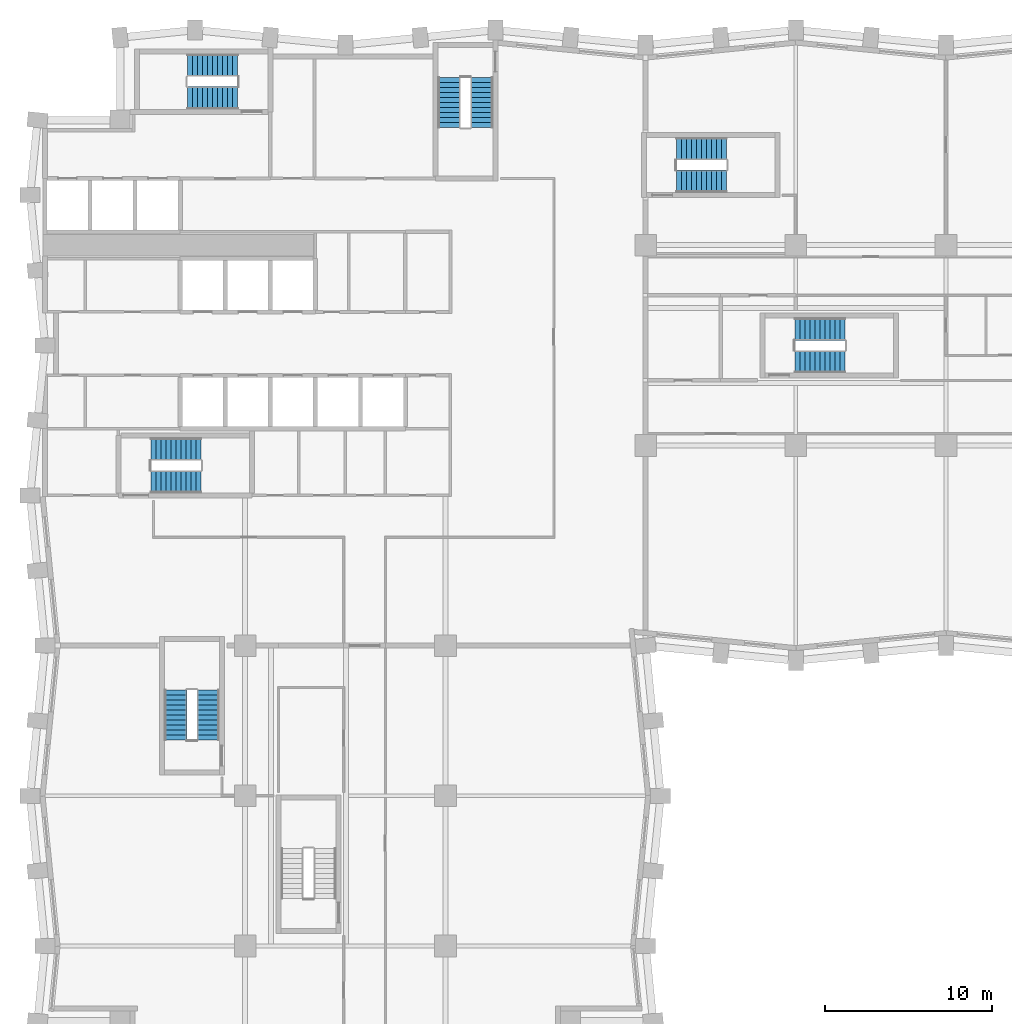
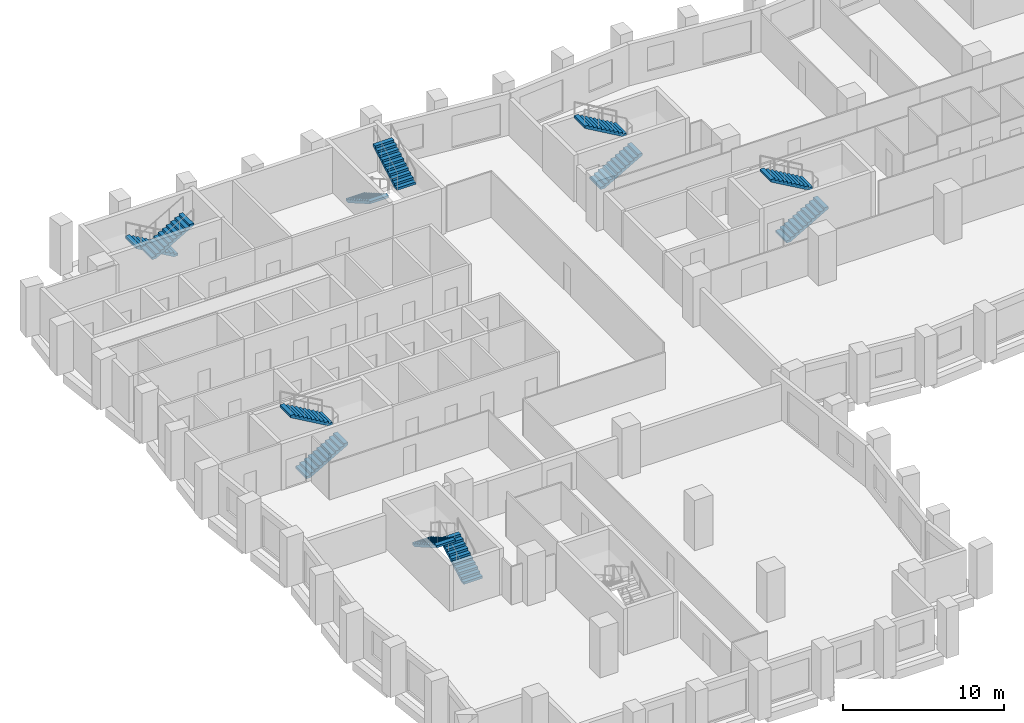
# One storey, part 9 of 11: 12 stair flights, 6 elements without a shape of their own.
"""IFC4 building model written with IfcOpenShell, lengths in metres."""

from ifc_helpers import new_model, si_unit, direction, frame, origin, place, context, subcontext, project, spatial, polyline, outline, extrude, material, type_object, element, aggregate, save


model = new_model("IFC4")

# Units and contexts
model_context = context("Model", 3, precision=1e-05, world=origin(), true_north=direction((0.0, 1.0)))
body_context = subcontext(model_context, "Body", "Model", "MODEL_VIEW")
ifc_project = project(units=[si_unit("LENGTHUNIT", "METRE"), si_unit("AREAUNIT", "SQUARE_METRE"), si_unit("VOLUMEUNIT", "CUBIC_METRE"), si_unit("PLANEANGLEUNIT", "RADIAN"), si_unit("MASSUNIT", "GRAM", prefix="KILO")], contexts=[model_context])

# Site, building, storey
site_placement = place(None, origin())
site = spatial("IfcSite", under=ifc_project, at=site_placement, CompositionType="ELEMENT")
building_placement = place(site_placement, origin())
building = spatial("IfcBuilding", under=site, at=building_placement, Name="Brondeck Convention Tower", CompositionType="ELEMENT")
storey_placement = place(building_placement, frame((0.0, 0.0, 115.10009765625)))
storey = spatial("IfcBuildingStorey", under=building, at=storey_placement, Name="L27", CompositionType="ELEMENT", Elevation=115.10009765625)

# Stair, stair flights
ifc_material = material(Name="Precast concrete C50/60", Category="concrete")
stair_type = type_object("IfcStairType", Name="Core stair 22 risers 172.73 mm riser 300 mm going 1350 wide", PredefinedType="HALF_TURN_STAIR", material=ifc_material)
stair_1_placement = place(storey_placement, origin())
stair_1 = element("IfcStair", 1, at=stair_1_placement, inside=storey, type_object=stair_type, Name="ST-1 L27 stair", PredefinedType="HALF_TURN_STAIR")
stair_flight_type = type_object("IfcStairFlightType", Name="Core stair flight 22 risers 172.73 mm riser 300 mm going 1350 wide", PredefinedType="STRAIGHT", material=ifc_material)
stair_flight_1_placement = place(storey_placement, frame((6.35009765625, 36.824951171875, 0.0), z_axis=(0.0, 0.0, 1.0), x_axis=(1.0, 0.0, 0.0)))
stair_flight_1 = element("IfcStairFlight", 2, at=stair_flight_1_placement, type_object=stair_flight_type, Name="ST-1 flight 1", NumberOfRisers=11, NumberOfTreads=10, PredefinedType="STRAIGHT", RiserHeight=0.172727273, TreadLength=0.3, context=body_context, shape_type="SweptSolid", body=[
    extrude(outline(polyline([(0.0, 0.0), (0.0, 0.172607421875), (0.300048828125, 0.172607421875), (0.300048828125, 0.345458984375), (0.60009765625, 0.345458984375), (0.60009765625, 0.51806640625), (0.89990234375, 0.51806640625), (0.89990234375, 0.69091796875), (1.199951171875, 0.69091796875), (1.199951171875, 0.863525390625), (1.5, 0.863525390625), (1.5, 1.036376953125), (1.800048828125, 1.036376953125), (1.800048828125, 1.208984375), (2.10009765625, 1.208984375), (2.10009765625, 1.3818359375), (2.39990234375, 1.3818359375), (2.39990234375, 1.554443359375), (2.699951171875, 1.554443359375), (2.699951171875, 1.727294921875), (3.0, 1.727294921875), (3.0, 1.89990234375), (3.0, 1.55419921875), (0.300537109375, 0.0), (0.0, 0.0)])), frame((0.0, 0.675048828125, 0.0), z_axis=(0.0, -1.0, 0.0), x_axis=(1.0, 0.0, 0.0)), (0.0, 0.0, 1.0), 1.35009765625),
])
stair_flight_2_placement = place(storey_placement, frame((9.35009765625, 38.77490234375, 1.89990234375), z_axis=(0.0, 0.0, 1.0), x_axis=(-1.0, 0.0, 0.0)))
stair_flight_2 = element("IfcStairFlight", 3, at=stair_flight_2_placement, type_object=stair_flight_type, Name="ST-1 flight 2", NumberOfRisers=11, NumberOfTreads=10, PredefinedType="STRAIGHT", RiserHeight=0.172727273, TreadLength=0.3, context=body_context, shape_type="SweptSolid", body=[
    extrude(outline(polyline([(0.0, 0.0), (0.0, 0.172607421875), (0.300048828125, 0.172607421875), (0.300048828125, 0.345458984375), (0.60009765625, 0.345458984375), (0.60009765625, 0.51806640625), (0.89990234375, 0.51806640625), (0.89990234375, 0.69091796875), (1.199951171875, 0.69091796875), (1.199951171875, 0.863525390625), (1.5, 0.863525390625), (1.5, 1.036376953125), (1.800048828125, 1.036376953125), (1.800048828125, 1.208984375), (2.10009765625, 1.208984375), (2.10009765625, 1.3818359375), (2.39990234375, 1.3818359375), (2.39990234375, 1.554443359375), (2.699951171875, 1.554443359375), (2.699951171875, 1.727294921875), (3.0, 1.727294921875), (3.0, 1.89990234375), (3.0, 1.55419921875), (0.300537109375, 0.0), (0.0, 0.0)])), frame((0.0, 0.675048828125, 0.0), z_axis=(0.0, -1.0, 0.0), x_axis=(1.0, 0.0, 0.0)), (0.0, 0.0, 1.0), 1.35009765625),
])
aggregate(stair_1, [stair_flight_1, stair_flight_2])

stair_2_placement = place(storey_placement, origin())
stair_2 = element("IfcStair", 4, at=stair_2_placement, inside=storey, type_object=stair_type, Name="ST-2 L27 stair", PredefinedType="HALF_TURN_STAIR")
stair_flight_3_placement = place(storey_placement, frame((24.22509765625, 61.050048828125, 0.0), z_axis=(0.0, 0.0, 1.0), x_axis=(0.0, -1.0, 0.0)))
stair_flight_3 = element("IfcStairFlight", 5, at=stair_flight_3_placement, type_object=stair_flight_type, Name="ST-2 flight 1", NumberOfRisers=11, NumberOfTreads=10, PredefinedType="STRAIGHT", RiserHeight=0.172727273, TreadLength=0.3, context=body_context, shape_type="SweptSolid", body=[
    extrude(outline(polyline([(0.0, 0.0), (0.0, 0.172607421875), (0.300048828125, 0.172607421875), (0.300048828125, 0.345458984375), (0.60009765625, 0.345458984375), (0.60009765625, 0.51806640625), (0.89990234375, 0.51806640625), (0.89990234375, 0.69091796875), (1.199951171875, 0.69091796875), (1.199951171875, 0.863525390625), (1.5, 0.863525390625), (1.5, 1.036376953125), (1.800048828125, 1.036376953125), (1.800048828125, 1.208984375), (2.10009765625, 1.208984375), (2.10009765625, 1.3818359375), (2.39990234375, 1.3818359375), (2.39990234375, 1.554443359375), (2.699951171875, 1.554443359375), (2.699951171875, 1.727294921875), (3.0, 1.727294921875), (3.0, 1.89990234375), (3.0, 1.55419921875), (0.300537109375, 0.0), (0.0, 0.0)])), frame((0.0, 0.675048828125, 0.0), z_axis=(0.0, -1.0, 0.0), x_axis=(1.0, 0.0, 0.0)), (0.0, 0.0, 1.0), 1.35009765625),
])
stair_flight_4_placement = place(storey_placement, frame((26.175048828125, 58.050048828125, 1.89990234375), z_axis=(0.0, 0.0, 1.0), x_axis=(0.0, 1.0, 0.0)))
stair_flight_4 = element("IfcStairFlight", 6, at=stair_flight_4_placement, type_object=stair_flight_type, Name="ST-2 flight 2", NumberOfRisers=11, NumberOfTreads=10, PredefinedType="STRAIGHT", RiserHeight=0.172727273, TreadLength=0.3, context=body_context, shape_type="SweptSolid", body=[
    extrude(outline(polyline([(0.0, 0.0), (0.0, 0.172607421875), (0.300048828125, 0.172607421875), (0.300048828125, 0.345458984375), (0.60009765625, 0.345458984375), (0.60009765625, 0.51806640625), (0.89990234375, 0.51806640625), (0.89990234375, 0.69091796875), (1.199951171875, 0.69091796875), (1.199951171875, 0.863525390625), (1.5, 0.863525390625), (1.5, 1.036376953125), (1.800048828125, 1.036376953125), (1.800048828125, 1.208984375), (2.10009765625, 1.208984375), (2.10009765625, 1.3818359375), (2.39990234375, 1.3818359375), (2.39990234375, 1.554443359375), (2.699951171875, 1.554443359375), (2.699951171875, 1.727294921875), (3.0, 1.727294921875), (3.0, 1.89990234375), (3.0, 1.55419921875), (0.300537109375, 0.0), (0.0, 0.0)])), frame((0.0, 0.675048828125, 0.0), z_axis=(0.0, -1.0, 0.0), x_axis=(1.0, 0.0, 0.0)), (0.0, 0.0, 1.0), 1.35009765625),
])
aggregate(stair_2, [stair_flight_3, stair_flight_4])

stair_3_placement = place(storey_placement, origin())
stair_3 = element("IfcStair", 7, at=stair_3_placement, inside=storey, type_object=stair_type, Name="ST-3 L27 stair", PredefinedType="HALF_TURN_STAIR")
stair_flight_5_placement = place(storey_placement, frame((11.550048828125, 61.77490234375, 0.0), z_axis=(0.0, 0.0, 1.0), x_axis=(-1.0, 0.0, 0.0)))
stair_flight_5 = element("IfcStairFlight", 8, at=stair_flight_5_placement, type_object=stair_flight_type, Name="ST-3 flight 1", NumberOfRisers=11, NumberOfTreads=10, PredefinedType="STRAIGHT", RiserHeight=0.172727273, TreadLength=0.3, context=body_context, shape_type="SweptSolid", body=[
    extrude(outline(polyline([(0.0, 0.0), (0.0, 0.172607421875), (0.300048828125, 0.172607421875), (0.300048828125, 0.345458984375), (0.60009765625, 0.345458984375), (0.60009765625, 0.51806640625), (0.89990234375, 0.51806640625), (0.89990234375, 0.69091796875), (1.199951171875, 0.69091796875), (1.199951171875, 0.863525390625), (1.5, 0.863525390625), (1.5, 1.036376953125), (1.800048828125, 1.036376953125), (1.800048828125, 1.208984375), (2.10009765625, 1.208984375), (2.10009765625, 1.3818359375), (2.39990234375, 1.3818359375), (2.39990234375, 1.554443359375), (2.699951171875, 1.554443359375), (2.699951171875, 1.727294921875), (3.0, 1.727294921875), (3.0, 1.89990234375), (3.0, 1.55419921875), (0.300537109375, 0.0), (0.0, 0.0)])), frame((0.0, 0.675048828125, 0.0), z_axis=(0.0, -1.0, 0.0), x_axis=(1.0, 0.0, 0.0)), (0.0, 0.0, 1.0), 1.35009765625),
])
stair_flight_6_placement = place(storey_placement, frame((8.550048828125, 59.824951171875, 1.89990234375), z_axis=(0.0, 0.0, 1.0), x_axis=(1.0, 0.0, 0.0)))
stair_flight_6 = element("IfcStairFlight", 9, at=stair_flight_6_placement, type_object=stair_flight_type, Name="ST-3 flight 2", NumberOfRisers=11, NumberOfTreads=10, PredefinedType="STRAIGHT", RiserHeight=0.172727273, TreadLength=0.3, context=body_context, shape_type="SweptSolid", body=[
    extrude(outline(polyline([(0.0, 0.0), (0.0, 0.172607421875), (0.300048828125, 0.172607421875), (0.300048828125, 0.345458984375), (0.60009765625, 0.345458984375), (0.60009765625, 0.51806640625), (0.89990234375, 0.51806640625), (0.89990234375, 0.69091796875), (1.199951171875, 0.69091796875), (1.199951171875, 0.863525390625), (1.5, 0.863525390625), (1.5, 1.036376953125), (1.800048828125, 1.036376953125), (1.800048828125, 1.208984375), (2.10009765625, 1.208984375), (2.10009765625, 1.3818359375), (2.39990234375, 1.3818359375), (2.39990234375, 1.554443359375), (2.699951171875, 1.554443359375), (2.699951171875, 1.727294921875), (3.0, 1.727294921875), (3.0, 1.89990234375), (3.0, 1.55419921875), (0.300537109375, 0.0), (0.0, 0.0)])), frame((0.0, 0.675048828125, 0.0), z_axis=(0.0, -1.0, 0.0), x_axis=(1.0, 0.0, 0.0)), (0.0, 0.0, 1.0), 1.35009765625),
])
aggregate(stair_3, [stair_flight_5, stair_flight_6])

stair_4_placement = place(storey_placement, origin())
stair_4 = element("IfcStair", 10, at=stair_4_placement, inside=storey, type_object=stair_type, Name="ST-AE L27 stair", PredefinedType="HALF_TURN_STAIR")
stair_flight_7_placement = place(storey_placement, frame((37.85009765625, 54.824951171875, 0.0), z_axis=(0.0, 0.0, 1.0), x_axis=(1.0, 0.0, 0.0)))
stair_flight_7 = element("IfcStairFlight", 11, at=stair_flight_7_placement, type_object=stair_flight_type, Name="ST-AE flight 1", NumberOfRisers=11, NumberOfTreads=10, PredefinedType="STRAIGHT", RiserHeight=0.172727273, TreadLength=0.3, context=body_context, shape_type="SweptSolid", body=[
    extrude(outline(polyline([(0.0, 0.0), (0.0, 0.172607421875), (0.300048828125, 0.172607421875), (0.300048828125, 0.345458984375), (0.60009765625, 0.345458984375), (0.60009765625, 0.51806640625), (0.89990234375, 0.51806640625), (0.89990234375, 0.69091796875), (1.199951171875, 0.69091796875), (1.199951171875, 0.863525390625), (1.5, 0.863525390625), (1.5, 1.036376953125), (1.800048828125, 1.036376953125), (1.800048828125, 1.208984375), (2.10009765625, 1.208984375), (2.10009765625, 1.3818359375), (2.39990234375, 1.3818359375), (2.39990234375, 1.554443359375), (2.699951171875, 1.554443359375), (2.699951171875, 1.727294921875), (3.0, 1.727294921875), (3.0, 1.89990234375), (3.0, 1.55419921875), (0.300537109375, 0.0), (0.0, 0.0)])), frame((0.0, 0.675048828125, 0.0), z_axis=(0.0, -1.0, 0.0), x_axis=(1.0, 0.0, 0.0)), (0.0, 0.0, 1.0), 1.35009765625),
])
stair_flight_8_placement = place(storey_placement, frame((40.85009765625, 56.77490234375, 1.89990234375), z_axis=(0.0, 0.0, 1.0), x_axis=(-1.0, 0.0, 0.0)))
stair_flight_8 = element("IfcStairFlight", 12, at=stair_flight_8_placement, type_object=stair_flight_type, Name="ST-AE flight 2", NumberOfRisers=11, NumberOfTreads=10, PredefinedType="STRAIGHT", RiserHeight=0.172727273, TreadLength=0.3, context=body_context, shape_type="SweptSolid", body=[
    extrude(outline(polyline([(0.0, 0.0), (0.0, 0.172607421875), (0.300048828125, 0.172607421875), (0.300048828125, 0.345458984375), (0.60009765625, 0.345458984375), (0.60009765625, 0.51806640625), (0.89990234375, 0.51806640625), (0.89990234375, 0.69091796875), (1.199951171875, 0.69091796875), (1.199951171875, 0.863525390625), (1.5, 0.863525390625), (1.5, 1.036376953125), (1.800048828125, 1.036376953125), (1.800048828125, 1.208984375), (2.10009765625, 1.208984375), (2.10009765625, 1.3818359375), (2.39990234375, 1.3818359375), (2.39990234375, 1.554443359375), (2.699951171875, 1.554443359375), (2.699951171875, 1.727294921875), (3.0, 1.727294921875), (3.0, 1.89990234375), (3.0, 1.55419921875), (0.300537109375, 0.0), (0.0, 0.0)])), frame((0.0, 0.675048828125, 0.0), z_axis=(0.0, -1.0, 0.0), x_axis=(1.0, 0.0, 0.0)), (0.0, 0.0, 1.0), 1.35009765625),
])
aggregate(stair_4, [stair_flight_7, stair_flight_8])

stair_5_placement = place(storey_placement, origin())
stair_5 = element("IfcStair", 13, at=stair_5_placement, inside=storey, type_object=stair_type, Name="ST-BE L27 stair", PredefinedType="HALF_TURN_STAIR")
stair_flight_9_placement = place(storey_placement, frame((9.77490234375, 21.35009765625, 0.0), z_axis=(0.0, 0.0, 1.0), x_axis=(0.0, 1.0, 0.0)))
stair_flight_9 = element("IfcStairFlight", 14, at=stair_flight_9_placement, type_object=stair_flight_type, Name="ST-BE flight 1", NumberOfRisers=11, NumberOfTreads=10, PredefinedType="STRAIGHT", RiserHeight=0.172727273, TreadLength=0.3, context=body_context, shape_type="SweptSolid", body=[
    extrude(outline(polyline([(0.0, 0.0), (0.0, 0.172607421875), (0.300048828125, 0.172607421875), (0.300048828125, 0.345458984375), (0.60009765625, 0.345458984375), (0.60009765625, 0.51806640625), (0.89990234375, 0.51806640625), (0.89990234375, 0.69091796875), (1.199951171875, 0.69091796875), (1.199951171875, 0.863525390625), (1.5, 0.863525390625), (1.5, 1.036376953125), (1.800048828125, 1.036376953125), (1.800048828125, 1.208984375), (2.10009765625, 1.208984375), (2.10009765625, 1.3818359375), (2.39990234375, 1.3818359375), (2.39990234375, 1.554443359375), (2.699951171875, 1.554443359375), (2.699951171875, 1.727294921875), (3.0, 1.727294921875), (3.0, 1.89990234375), (3.0, 1.55419921875), (0.300537109375, 0.0), (0.0, 0.0)])), frame((0.0, 0.675048828125, 0.0), z_axis=(0.0, -1.0, 0.0), x_axis=(1.0, 0.0, 0.0)), (0.0, 0.0, 1.0), 1.35009765625),
])
stair_flight_10_placement = place(storey_placement, frame((7.824951171875, 24.35009765625, 1.89990234375), z_axis=(0.0, 0.0, 1.0), x_axis=(0.0, -1.0, 0.0)))
stair_flight_10 = element("IfcStairFlight", 15, at=stair_flight_10_placement, type_object=stair_flight_type, Name="ST-BE flight 2", NumberOfRisers=11, NumberOfTreads=10, PredefinedType="STRAIGHT", RiserHeight=0.172727273, TreadLength=0.3, context=body_context, shape_type="SweptSolid", body=[
    extrude(outline(polyline([(0.0, 0.0), (0.0, 0.172607421875), (0.300048828125, 0.172607421875), (0.300048828125, 0.345458984375), (0.60009765625, 0.345458984375), (0.60009765625, 0.51806640625), (0.89990234375, 0.51806640625), (0.89990234375, 0.69091796875), (1.199951171875, 0.69091796875), (1.199951171875, 0.863525390625), (1.5, 0.863525390625), (1.5, 1.036376953125), (1.800048828125, 1.036376953125), (1.800048828125, 1.208984375), (2.10009765625, 1.208984375), (2.10009765625, 1.3818359375), (2.39990234375, 1.3818359375), (2.39990234375, 1.554443359375), (2.699951171875, 1.554443359375), (2.699951171875, 1.727294921875), (3.0, 1.727294921875), (3.0, 1.89990234375), (3.0, 1.55419921875), (0.300537109375, 0.0), (0.0, 0.0)])), frame((0.0, 0.675048828125, 0.0), z_axis=(0.0, -1.0, 0.0), x_axis=(1.0, 0.0, 0.0)), (0.0, 0.0, 1.0), 1.35009765625),
])
aggregate(stair_5, [stair_flight_9, stair_flight_10])

stair_6_placement = place(storey_placement, origin())
stair_6 = element("IfcStair", 16, at=stair_6_placement, inside=storey, type_object=stair_type, Name="ST-AF L27 stair", PredefinedType="HALF_TURN_STAIR")
stair_flight_11_placement = place(storey_placement, frame((44.949951171875, 44.02490234375, 0.0), z_axis=(0.0, 0.0, 1.0), x_axis=(1.0, 0.0, 0.0)))
stair_flight_11 = element("IfcStairFlight", 17, at=stair_flight_11_placement, type_object=stair_flight_type, Name="ST-AF flight 1", NumberOfRisers=11, NumberOfTreads=10, PredefinedType="STRAIGHT", RiserHeight=0.172727273, TreadLength=0.3, context=body_context, shape_type="SweptSolid", body=[
    extrude(outline(polyline([(0.0, 0.0), (0.0, 0.172607421875), (0.300048828125, 0.172607421875), (0.300048828125, 0.345458984375), (0.60009765625, 0.345458984375), (0.60009765625, 0.51806640625), (0.89990234375, 0.51806640625), (0.89990234375, 0.69091796875), (1.199951171875, 0.69091796875), (1.199951171875, 0.863525390625), (1.5, 0.863525390625), (1.5, 1.036376953125), (1.800048828125, 1.036376953125), (1.800048828125, 1.208984375), (2.10009765625, 1.208984375), (2.10009765625, 1.3818359375), (2.39990234375, 1.3818359375), (2.39990234375, 1.554443359375), (2.699951171875, 1.554443359375), (2.699951171875, 1.727294921875), (3.0, 1.727294921875), (3.0, 1.89990234375), (3.0, 1.55419921875), (0.300537109375, 0.0), (0.0, 0.0)])), frame((0.0, 0.675048828125, 0.0), z_axis=(0.0, -1.0, 0.0), x_axis=(1.0, 0.0, 0.0)), (0.0, 0.0, 1.0), 1.35009765625),
])
stair_flight_12_placement = place(storey_placement, frame((47.949951171875, 45.97509765625, 1.89990234375), z_axis=(0.0, 0.0, 1.0), x_axis=(-1.0, 0.0, 0.0)))
stair_flight_12 = element("IfcStairFlight", 18, at=stair_flight_12_placement, type_object=stair_flight_type, Name="ST-AF flight 2", NumberOfRisers=11, NumberOfTreads=10, PredefinedType="STRAIGHT", RiserHeight=0.172727273, TreadLength=0.3, context=body_context, shape_type="SweptSolid", body=[
    extrude(outline(polyline([(0.0, 0.0), (0.0, 0.172607421875), (0.300048828125, 0.172607421875), (0.300048828125, 0.345458984375), (0.60009765625, 0.345458984375), (0.60009765625, 0.51806640625), (0.89990234375, 0.51806640625), (0.89990234375, 0.69091796875), (1.199951171875, 0.69091796875), (1.199951171875, 0.863525390625), (1.5, 0.863525390625), (1.5, 1.036376953125), (1.800048828125, 1.036376953125), (1.800048828125, 1.208984375), (2.10009765625, 1.208984375), (2.10009765625, 1.3818359375), (2.39990234375, 1.3818359375), (2.39990234375, 1.554443359375), (2.699951171875, 1.554443359375), (2.699951171875, 1.727294921875), (3.0, 1.727294921875), (3.0, 1.89990234375), (3.0, 1.55419921875), (0.300537109375, 0.0), (0.0, 0.0)])), frame((0.0, 0.675048828125, 0.0), z_axis=(0.0, -1.0, 0.0), x_axis=(1.0, 0.0, 0.0)), (0.0, 0.0, 1.0), 1.35009765625),
])
aggregate(stair_6, [stair_flight_11, stair_flight_12])

save(model, "model.ifc")
